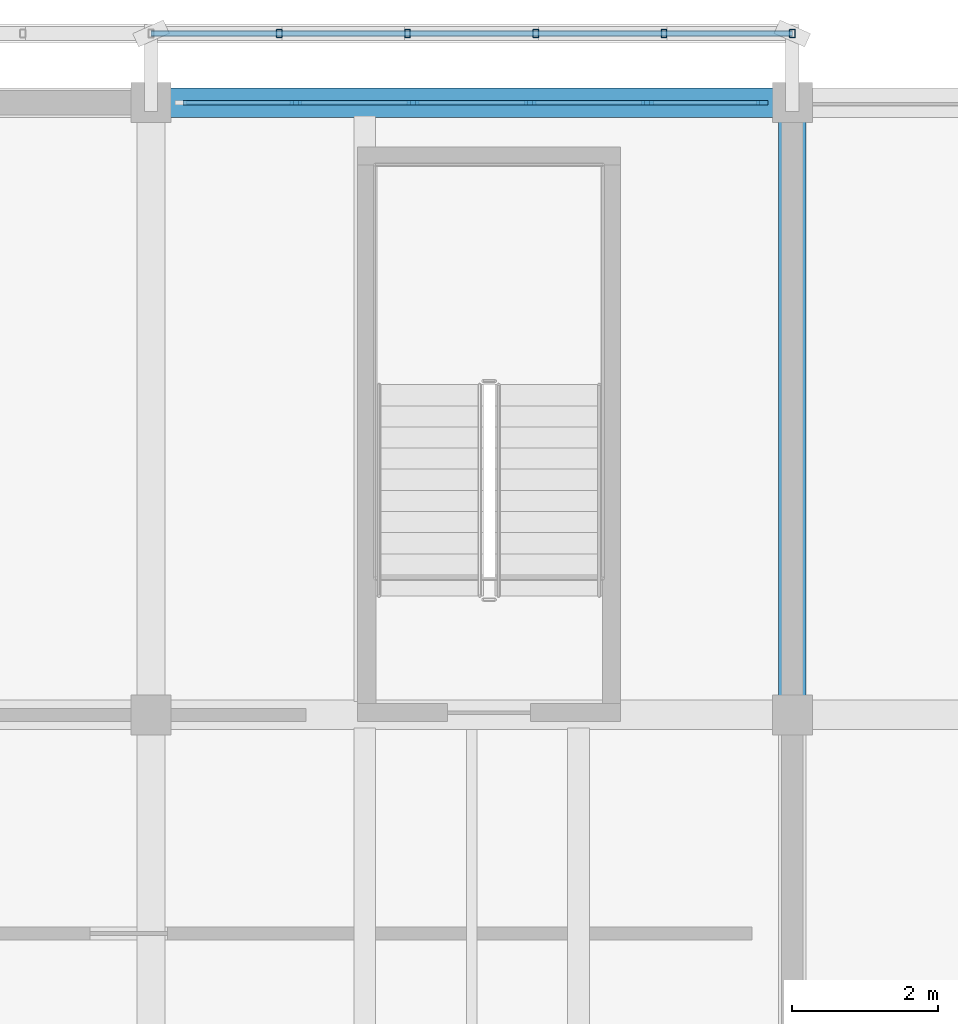
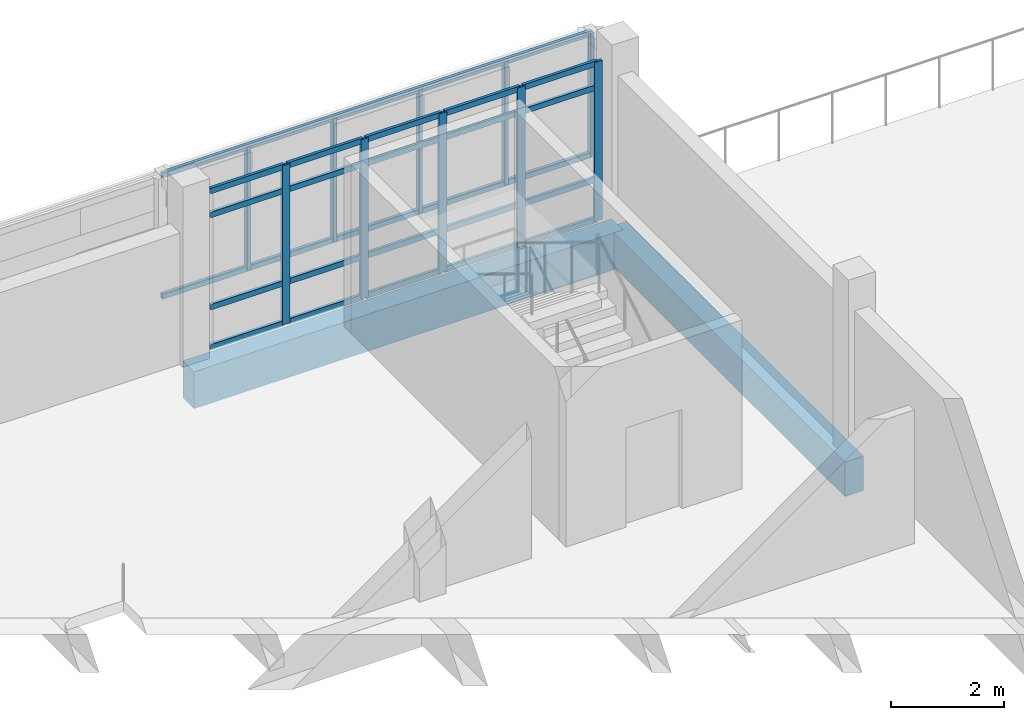
# One storey, part 73 of 117: 32 members, 2 beams, 1 element without a shape of its own.
"""IFC4 building model written with IfcOpenShell, lengths in metres."""

from ifc_helpers import new_model, si_unit, direction, frame, origin, origin_2d, place, context, subcontext, project, spatial, rectangle, hollow_rectangle, extrude, material, material_profile, profile_set, type_object, element, aggregate, save


model = new_model("IFC4")

# Units and contexts
model_context = context("Model", 3, precision=1e-05, world=origin(), true_north=direction((0.0, 1.0)))
body_context = subcontext(model_context, "Body", "Model", "MODEL_VIEW")
ifc_project = project(units=[si_unit("LENGTHUNIT", "METRE"), si_unit("AREAUNIT", "SQUARE_METRE"), si_unit("VOLUMEUNIT", "CUBIC_METRE"), si_unit("PLANEANGLEUNIT", "RADIAN"), si_unit("MASSUNIT", "GRAM", prefix="KILO")], contexts=[model_context])

# Site, building, storey
site_placement = place(None, origin())
site = spatial("IfcSite", under=ifc_project, at=site_placement, CompositionType="ELEMENT")
building_placement = place(site_placement, origin())
building = spatial("IfcBuilding", under=site, at=building_placement, Name="Cinderway Yard Community Centre", CompositionType="ELEMENT")
storey_placement = place(building_placement, frame((0.0, 0.0, 9.0)))
storey = spatial("IfcBuildingStorey", under=building, at=storey_placement, Name="L02", CompositionType="ELEMENT", Elevation=9.0)

# Curtain wall, members
ifc_material_1 = material(Name="Aluminium 6063-T6", Category="aluminium")
curtain_wall_type = type_object("IfcCurtainWallType", Name="ENV-CW-TYPE-30", PredefinedType="USERDEFINED", material=ifc_material_1)
curtain_wall_placement = place(storey_placement, origin())
curtain_wall = element("IfcCurtainWall", 1, at=curtain_wall_placement, inside=storey, type_object=curtain_wall_type, Name="V4 Street Curtain Wall ENV-CW-L02-ST-0157", ObjectType="GLAZED CURTAIN WALL", PredefinedType="USERDEFINED")
ifc_material_profile_1 = material_profile(ifc_material_1, rectangle(XDim=0.06005859375, YDim=0.159912109375, at=origin_2d()), Name="Aluminium 6063-T6")
ifc_profile_set_1 = profile_set([ifc_material_profile_1], Name="Aluminium 6063-T6")
member_type_1 = type_object("IfcMemberType", Name="ENV-CW-MULL-150", PredefinedType="MULLION", material=ifc_profile_set_1)
member_1_placement = place(storey_placement, frame((129.988037109375, 115.199951171875, 0.0), z_axis=(0.0, 0.0, 1.0), x_axis=(0.0, 1.0, 0.0)))
member_1 = element("IfcMember", 2, at=member_1_placement, type_object=member_type_1, Name="CW-30 mullion 2", PredefinedType="MULLION", context=body_context, shape_type="SweptSolid", body=[
    extrude(rectangle(XDim=0.06005859375, YDim=0.159912109375, at=origin_2d()), origin(), (0.0, 0.0, 1.0), 3.449951171875),
])
member_2_placement = place(storey_placement, frame((131.595947265625, 115.199951171875, 0.0), z_axis=(0.0, 0.0, 1.0), x_axis=(0.0, 1.0, 0.0)))
member_2 = element("IfcMember", 3, at=member_2_placement, type_object=member_type_1, Name="CW-30 mullion 3", PredefinedType="MULLION", context=body_context, shape_type="SweptSolid", body=[
    extrude(rectangle(XDim=0.06005859375, YDim=0.159912109375, at=origin_2d()), origin(), (0.0, 0.0, 1.0), 3.449951171875),
])
member_3_placement = place(storey_placement, frame((133.2041015625, 115.199951171875, 0.0), z_axis=(0.0, 0.0, 1.0), x_axis=(0.0, 1.0, 0.0)))
member_3 = element("IfcMember", 4, at=member_3_placement, type_object=member_type_1, Name="CW-30 mullion 4", PredefinedType="MULLION", context=body_context, shape_type="SweptSolid", body=[
    extrude(rectangle(XDim=0.06005859375, YDim=0.159912109375, at=origin_2d()), origin(), (0.0, 0.0, 1.0), 3.449951171875),
])
member_4_placement = place(storey_placement, frame((134.81201171875, 115.199951171875, 0.0), z_axis=(0.0, 0.0, 1.0), x_axis=(0.0, 1.0, 0.0)))
member_4 = element("IfcMember", 5, at=member_4_placement, type_object=member_type_1, Name="CW-30 mullion 5", PredefinedType="MULLION", context=body_context, shape_type="SweptSolid", body=[
    extrude(rectangle(XDim=0.06005859375, YDim=0.159912109375, at=origin_2d()), origin(), (0.0, 0.0, 1.0), 3.449951171875),
])
member_5_placement = place(storey_placement, frame((136.389892578125, 115.199951171875, 0.0), z_axis=(0.0, 0.0, 1.0), x_axis=(0.0, 1.0, 0.0)))
member_5 = element("IfcMember", 6, at=member_5_placement, type_object=member_type_1, Name="CW-30 mullion 6", PredefinedType="MULLION", context=body_context, shape_type="SweptSolid", body=[
    extrude(rectangle(XDim=0.06005859375, YDim=0.159912109375, at=origin_2d()), origin(), (0.0, 0.0, 1.0), 3.449951171875),
])
ifc_material_profile_2 = material_profile(ifc_material_1, rectangle(XDim=0.06005859375, YDim=0.1201171875, at=origin_2d()), Name="Aluminium 6063-T6")
ifc_profile_set_2 = profile_set([ifc_material_profile_2], Name="Aluminium 6063-T6")
member_type_2 = type_object("IfcMemberType", Name="ENV-CW-TRAN-110", PredefinedType="USERDEFINED", material=ifc_profile_set_2)
member_6_placement = place(storey_placement, frame((128.43994140625, 115.199951171875, 0.030029296875), z_axis=(1.0, 0.0, 0.0), x_axis=(0.0, 1.0, 0.0)))
member_6 = element("IfcMember", 7, at=member_6_placement, type_object=member_type_2, Name="CW-30 transom 1.1", ObjectType="TRANSOM", PredefinedType="USERDEFINED", context=body_context, shape_type="SweptSolid", body=[
    extrude(rectangle(XDim=0.06005859375, YDim=0.1201171875, at=origin_2d()), origin(), (0.0, 0.0, 1.0), 1.51806640625),
])
member_7_placement = place(storey_placement, frame((128.43994140625, 115.199951171875, 0.89990234375), z_axis=(1.0, 0.0, 0.0), x_axis=(0.0, 1.0, 0.0)))
member_7 = element("IfcMember", 8, at=member_7_placement, type_object=member_type_2, Name="CW-30 transom 1.2", ObjectType="TRANSOM", PredefinedType="USERDEFINED", context=body_context, shape_type="SweptSolid", body=[
    extrude(rectangle(XDim=0.06005859375, YDim=0.1201171875, at=origin_2d()), origin(), (0.0, 0.0, 1.0), 1.51806640625),
])
member_8_placement = place(storey_placement, frame((128.43994140625, 115.199951171875, 2.89990234375), z_axis=(1.0, 0.0, 0.0), x_axis=(0.0, 1.0, 0.0)))
member_8 = element("IfcMember", 9, at=member_8_placement, type_object=member_type_2, Name="CW-30 transom 1.3", ObjectType="TRANSOM", PredefinedType="USERDEFINED", context=body_context, shape_type="SweptSolid", body=[
    extrude(rectangle(XDim=0.06005859375, YDim=0.1201171875, at=origin_2d()), origin(), (0.0, 0.0, 1.0), 1.51806640625),
])
member_9_placement = place(storey_placement, frame((128.43994140625, 115.199951171875, 3.419921875), z_axis=(1.0, 0.0, 0.0), x_axis=(0.0, 1.0, 0.0)))
member_9 = element("IfcMember", 10, at=member_9_placement, type_object=member_type_2, Name="CW-30 transom 1.4", ObjectType="TRANSOM", PredefinedType="USERDEFINED", context=body_context, shape_type="SweptSolid", body=[
    extrude(rectangle(XDim=0.06005859375, YDim=0.1201171875, at=origin_2d()), origin(), (0.0, 0.0, 1.0), 1.51806640625),
])
member_10_placement = place(storey_placement, frame((130.01806640625, 115.199951171875, 0.030029296875), z_axis=(1.0, 0.0, 0.0), x_axis=(0.0, 1.0, 0.0)))
member_10 = element("IfcMember", 11, at=member_10_placement, type_object=member_type_2, Name="CW-30 transom 2.1", ObjectType="TRANSOM", PredefinedType="USERDEFINED", context=body_context, shape_type="SweptSolid", body=[
    extrude(rectangle(XDim=0.06005859375, YDim=0.1201171875, at=origin_2d()), origin(), (0.0, 0.0, 1.0), 1.5478515625),
])
member_11_placement = place(storey_placement, frame((130.01806640625, 115.199951171875, 0.89990234375), z_axis=(1.0, 0.0, 0.0), x_axis=(0.0, 1.0, 0.0)))
member_11 = element("IfcMember", 12, at=member_11_placement, type_object=member_type_2, Name="CW-30 transom 2.2", ObjectType="TRANSOM", PredefinedType="USERDEFINED", context=body_context, shape_type="SweptSolid", body=[
    extrude(rectangle(XDim=0.06005859375, YDim=0.1201171875, at=origin_2d()), origin(), (0.0, 0.0, 1.0), 1.5478515625),
])
member_12_placement = place(storey_placement, frame((130.01806640625, 115.199951171875, 2.89990234375), z_axis=(1.0, 0.0, 0.0), x_axis=(0.0, 1.0, 0.0)))
member_12 = element("IfcMember", 13, at=member_12_placement, type_object=member_type_2, Name="CW-30 transom 2.3", ObjectType="TRANSOM", PredefinedType="USERDEFINED", context=body_context, shape_type="SweptSolid", body=[
    extrude(rectangle(XDim=0.06005859375, YDim=0.1201171875, at=origin_2d()), origin(), (0.0, 0.0, 1.0), 1.5478515625),
])
member_13_placement = place(storey_placement, frame((130.01806640625, 115.199951171875, 3.419921875), z_axis=(1.0, 0.0, 0.0), x_axis=(0.0, 1.0, 0.0)))
member_13 = element("IfcMember", 14, at=member_13_placement, type_object=member_type_2, Name="CW-30 transom 2.4", ObjectType="TRANSOM", PredefinedType="USERDEFINED", context=body_context, shape_type="SweptSolid", body=[
    extrude(rectangle(XDim=0.06005859375, YDim=0.1201171875, at=origin_2d()), origin(), (0.0, 0.0, 1.0), 1.5478515625),
])
member_14_placement = place(storey_placement, frame((131.6259765625, 115.199951171875, 0.030029296875), z_axis=(1.0, 0.0, 0.0), x_axis=(0.0, 1.0, 0.0)))
member_14 = element("IfcMember", 15, at=member_14_placement, type_object=member_type_2, Name="CW-30 transom 3.1", ObjectType="TRANSOM", PredefinedType="USERDEFINED", context=body_context, shape_type="SweptSolid", body=[
    extrude(rectangle(XDim=0.06005859375, YDim=0.1201171875, at=origin_2d()), origin(), (0.0, 0.0, 1.0), 1.548095703125),
])
member_15_placement = place(storey_placement, frame((131.6259765625, 115.199951171875, 0.89990234375), z_axis=(1.0, 0.0, 0.0), x_axis=(0.0, 1.0, 0.0)))
member_15 = element("IfcMember", 16, at=member_15_placement, type_object=member_type_2, Name="CW-30 transom 3.2", ObjectType="TRANSOM", PredefinedType="USERDEFINED", context=body_context, shape_type="SweptSolid", body=[
    extrude(rectangle(XDim=0.06005859375, YDim=0.1201171875, at=origin_2d()), origin(), (0.0, 0.0, 1.0), 1.548095703125),
])
member_16_placement = place(storey_placement, frame((131.6259765625, 115.199951171875, 2.89990234375), z_axis=(1.0, 0.0, 0.0), x_axis=(0.0, 1.0, 0.0)))
member_16 = element("IfcMember", 17, at=member_16_placement, type_object=member_type_2, Name="CW-30 transom 3.3", ObjectType="TRANSOM", PredefinedType="USERDEFINED", context=body_context, shape_type="SweptSolid", body=[
    extrude(rectangle(XDim=0.06005859375, YDim=0.1201171875, at=origin_2d()), origin(), (0.0, 0.0, 1.0), 1.548095703125),
])
member_17_placement = place(storey_placement, frame((131.6259765625, 115.199951171875, 3.419921875), z_axis=(1.0, 0.0, 0.0), x_axis=(0.0, 1.0, 0.0)))
member_17 = element("IfcMember", 18, at=member_17_placement, type_object=member_type_2, Name="CW-30 transom 3.4", ObjectType="TRANSOM", PredefinedType="USERDEFINED", context=body_context, shape_type="SweptSolid", body=[
    extrude(rectangle(XDim=0.06005859375, YDim=0.1201171875, at=origin_2d()), origin(), (0.0, 0.0, 1.0), 1.548095703125),
])
member_18_placement = place(storey_placement, frame((133.23388671875, 115.199951171875, 0.030029296875), z_axis=(1.0, 0.0, 0.0), x_axis=(0.0, 1.0, 0.0)))
member_18 = element("IfcMember", 19, at=member_18_placement, type_object=member_type_2, Name="CW-30 transom 4.1", ObjectType="TRANSOM", PredefinedType="USERDEFINED", context=body_context, shape_type="SweptSolid", body=[
    extrude(rectangle(XDim=0.06005859375, YDim=0.1201171875, at=origin_2d()), origin(), (0.0, 0.0, 1.0), 1.548095703125),
])
member_19_placement = place(storey_placement, frame((133.23388671875, 115.199951171875, 0.89990234375), z_axis=(1.0, 0.0, 0.0), x_axis=(0.0, 1.0, 0.0)))
member_19 = element("IfcMember", 20, at=member_19_placement, type_object=member_type_2, Name="CW-30 transom 4.2", ObjectType="TRANSOM", PredefinedType="USERDEFINED", context=body_context, shape_type="SweptSolid", body=[
    extrude(rectangle(XDim=0.06005859375, YDim=0.1201171875, at=origin_2d()), origin(), (0.0, 0.0, 1.0), 1.548095703125),
])
member_20_placement = place(storey_placement, frame((133.23388671875, 115.199951171875, 2.89990234375), z_axis=(1.0, 0.0, 0.0), x_axis=(0.0, 1.0, 0.0)))
member_20 = element("IfcMember", 21, at=member_20_placement, type_object=member_type_2, Name="CW-30 transom 4.3", ObjectType="TRANSOM", PredefinedType="USERDEFINED", context=body_context, shape_type="SweptSolid", body=[
    extrude(rectangle(XDim=0.06005859375, YDim=0.1201171875, at=origin_2d()), origin(), (0.0, 0.0, 1.0), 1.548095703125),
])
member_21_placement = place(storey_placement, frame((133.23388671875, 115.199951171875, 3.419921875), z_axis=(1.0, 0.0, 0.0), x_axis=(0.0, 1.0, 0.0)))
member_21 = element("IfcMember", 22, at=member_21_placement, type_object=member_type_2, Name="CW-30 transom 4.4", ObjectType="TRANSOM", PredefinedType="USERDEFINED", context=body_context, shape_type="SweptSolid", body=[
    extrude(rectangle(XDim=0.06005859375, YDim=0.1201171875, at=origin_2d()), origin(), (0.0, 0.0, 1.0), 1.548095703125),
])
member_22_placement = place(storey_placement, frame((134.842041015625, 115.199951171875, 0.030029296875), z_axis=(1.0, 0.0, 0.0), x_axis=(0.0, 1.0, 0.0)))
member_22 = element("IfcMember", 23, at=member_22_placement, type_object=member_type_2, Name="CW-30 transom 5.1", ObjectType="TRANSOM", PredefinedType="USERDEFINED", context=body_context, shape_type="SweptSolid", body=[
    extrude(rectangle(XDim=0.06005859375, YDim=0.1201171875, at=origin_2d()), origin(), (0.0, 0.0, 1.0), 1.51806640625),
])
member_23_placement = place(storey_placement, frame((134.842041015625, 115.199951171875, 0.89990234375), z_axis=(1.0, 0.0, 0.0), x_axis=(0.0, 1.0, 0.0)))
member_23 = element("IfcMember", 24, at=member_23_placement, type_object=member_type_2, Name="CW-30 transom 5.2", ObjectType="TRANSOM", PredefinedType="USERDEFINED", context=body_context, shape_type="SweptSolid", body=[
    extrude(rectangle(XDim=0.06005859375, YDim=0.1201171875, at=origin_2d()), origin(), (0.0, 0.0, 1.0), 1.51806640625),
])
member_24_placement = place(storey_placement, frame((134.842041015625, 115.199951171875, 2.89990234375), z_axis=(1.0, 0.0, 0.0), x_axis=(0.0, 1.0, 0.0)))
member_24 = element("IfcMember", 25, at=member_24_placement, type_object=member_type_2, Name="CW-30 transom 5.3", ObjectType="TRANSOM", PredefinedType="USERDEFINED", context=body_context, shape_type="SweptSolid", body=[
    extrude(rectangle(XDim=0.06005859375, YDim=0.1201171875, at=origin_2d()), origin(), (0.0, 0.0, 1.0), 1.51806640625),
])
member_25_placement = place(storey_placement, frame((134.842041015625, 115.199951171875, 3.419921875), z_axis=(1.0, 0.0, 0.0), x_axis=(0.0, 1.0, 0.0)))
member_25 = element("IfcMember", 26, at=member_25_placement, type_object=member_type_2, Name="CW-30 transom 5.4", ObjectType="TRANSOM", PredefinedType="USERDEFINED", context=body_context, shape_type="SweptSolid", body=[
    extrude(rectangle(XDim=0.06005859375, YDim=0.1201171875, at=origin_2d()), origin(), (0.0, 0.0, 1.0), 1.51806640625),
])
aggregate(curtain_wall, [member_1, member_2, member_3, member_4, member_5, member_6, member_7, member_8, member_9, member_10, member_11, member_12, member_13, member_14, member_15, member_16, member_17, member_18, member_19, member_20, member_21, member_22, member_23, member_24, member_25])

# Members
ifc_material_2 = material(Name="Steel S355", Category="steel")
ifc_material_profile_3 = material_profile(ifc_material_2, hollow_rectangle(XDim=0.080078125, YDim=0.1201171875, WallThickness=0.00634765625, InnerFilletRadius=0.00634765625, OuterFilletRadius=0.0126953125, at=origin_2d()), Name="Steel S355")
ifc_profile_set_3 = profile_set([ifc_material_profile_3], Name="Steel S355")
member_type_3 = type_object("IfcMemberType", Name="ENV-MEM-SCREEN-RAIL-120", PredefinedType="STRINGER", material=ifc_profile_set_3)
for number, where, z_axis, x_axis, name in (
    (27, (128.0, 116.14990234375, 0.7099609375), (1.0, 0.0, 0.0), (0.0, 1.0, 0.0), "Screen support rail 0179-BOT"),
    (28, (128.0, 116.14990234375, 3.340087890625), (1.0, 0.0, 0.0), (0.0, 1.0, 0.0), "Screen support rail 0180-TOP"),
):
    element("IfcMember", number, at=place(storey_placement, frame(where, z_axis=z_axis, x_axis=x_axis)), inside=storey, type_object=member_type_3, Name=name, PredefinedType="STRINGER", context=body_context, shape_type="SweptSolid", body=[
        extrude(hollow_rectangle(XDim=0.080078125, YDim=0.1201171875, WallThickness=0.00634765625, InnerFilletRadius=0.00634765625, OuterFilletRadius=0.0126953125, at=origin_2d()), origin(), (0.0, 0.0, 1.0), 8.800048828125),
    ])
for number, where, z_axis, x_axis, name in (
    (29, (129.760009765625, 116.14990234375, 0.68994140625), (0.0, 0.0, 1.0), (1.0, 0.0, 0.0), "Screen vertical mullion 0181"),
    (30, (131.52001953125, 116.14990234375, 0.68994140625), (0.0, 0.0, 1.0), (1.0, 0.0, 0.0), "Screen vertical mullion 0182"),
    (31, (133.280029296875, 116.14990234375, 0.68994140625), (0.0, 0.0, 1.0), (1.0, 0.0, 0.0), "Screen vertical mullion 0183"),
    (32, (135.0400390625, 116.14990234375, 0.68994140625), (0.0, 0.0, 1.0), (1.0, 0.0, 0.0), "Screen vertical mullion 0184"),
    (33, (136.800048828125, 116.14990234375, 0.68994140625), (0.0, 0.0, 1.0), (1.0, 0.0, 0.0), "Screen vertical mullion 0185"),
):
    element("IfcMember", number, at=place(storey_placement, frame(where, z_axis=z_axis, x_axis=x_axis)), inside=storey, type_object=member_type_3, Name=name, PredefinedType="STRINGER", context=body_context, shape_type="SweptSolid", body=[
        extrude(hollow_rectangle(XDim=0.080078125, YDim=0.1201171875, WallThickness=0.00634765625, InnerFilletRadius=0.00634765625, OuterFilletRadius=0.0126953125, at=origin_2d()), origin(), (0.0, 0.0, 1.0), 2.670166015625),
    ])

# Beams
ifc_material_3 = material(Name="Concrete C35/45", Category="concrete")
ifc_material_profile_4 = material_profile(ifc_material_3, rectangle(XDim=0.3798828125, YDim=0.75, at=origin_2d()), Name="Concrete C35/45")
ifc_profile_set_4 = profile_set([ifc_material_profile_4], Name="Concrete C35/45")
beam_type_1 = type_object("IfcBeamType", Name="STR-BM-RC380X750", PredefinedType="BEAM", material=ifc_profile_set_4)
beam_1_placement = place(storey_placement, frame((136.800048828125, 106.800048828125, -0.614990234375), z_axis=(0.0, 1.0, 0.0), x_axis=(-1.0, 0.0, 0.0)))
element("IfcBeam", 34, at=beam_1_placement, inside=storey, type_object=beam_type_1, Name="Transverse girder STR-BM-L02-BG06-0579", PredefinedType="BEAM", context=body_context, shape_type="SweptSolid", body=[
    extrude(rectangle(XDim=0.3798828125, YDim=0.75, at=origin_2d()), origin(), (0.0, 0.0, 1.0), 8.39990234375),
])
ifc_material_4 = material(Name="Concrete C40/50", Category="concrete")
ifc_material_profile_5 = material_profile(ifc_material_4, rectangle(XDim=0.39990234375, YDim=0.800048828125, at=origin_2d()), Name="Concrete C40/50")
ifc_profile_set_5 = profile_set([ifc_material_profile_5], Name="Concrete C40/50")
beam_type_2 = type_object("IfcBeamType", Name="STR-BM-RC400X800", PredefinedType="BEAM", material=ifc_profile_set_5)
beam_2_placement = place(storey_placement, frame((128.0, 115.199951171875, -0.639892578125), z_axis=(1.0, 0.0, 0.0), x_axis=(0.0, 1.0, 0.0)))
element("IfcBeam", 35, at=beam_2_placement, inside=storey, type_object=beam_type_2, Name="Primary girder STR-BM-L02-BG05-0542", PredefinedType="BEAM", context=body_context, shape_type="SweptSolid", body=[
    extrude(rectangle(XDim=0.39990234375, YDim=0.800048828125, at=origin_2d()), origin(), (0.0, 0.0, 1.0), 8.800048828125),
])

save(model, "model.ifc")
